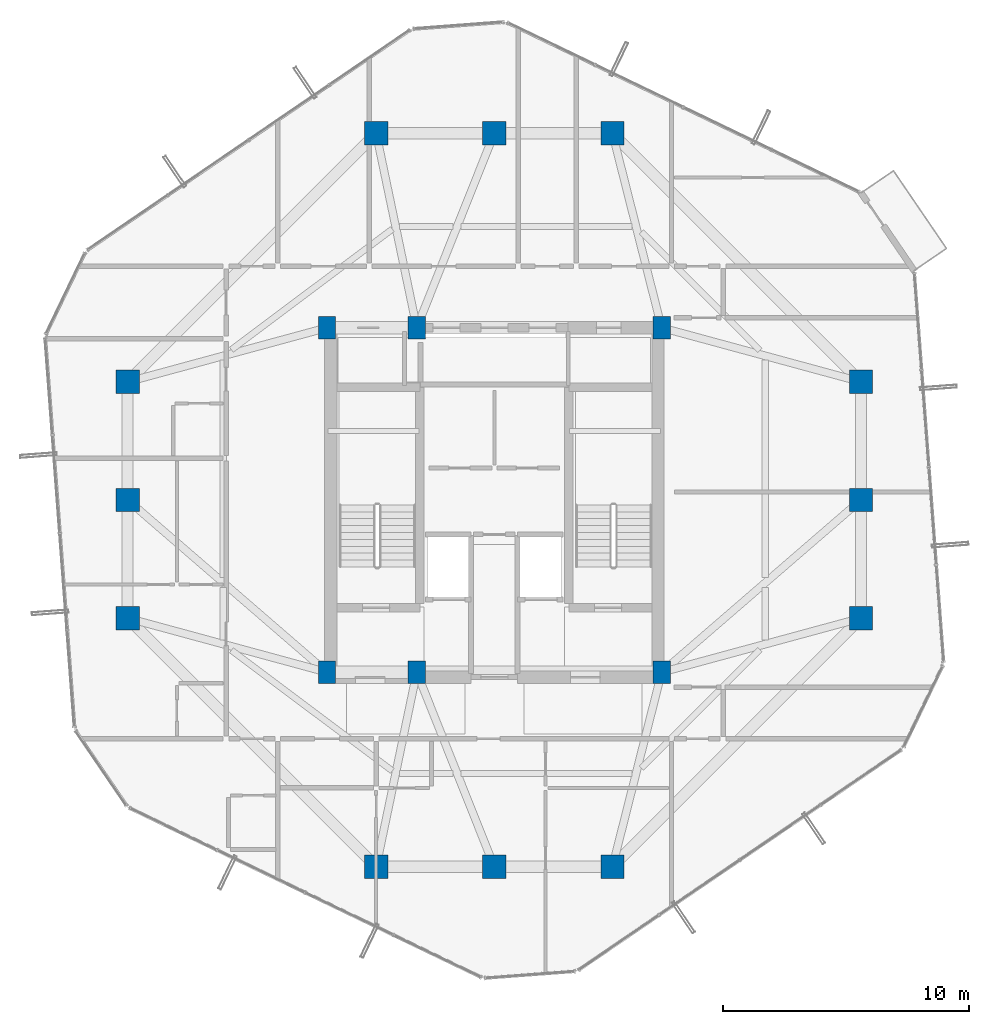
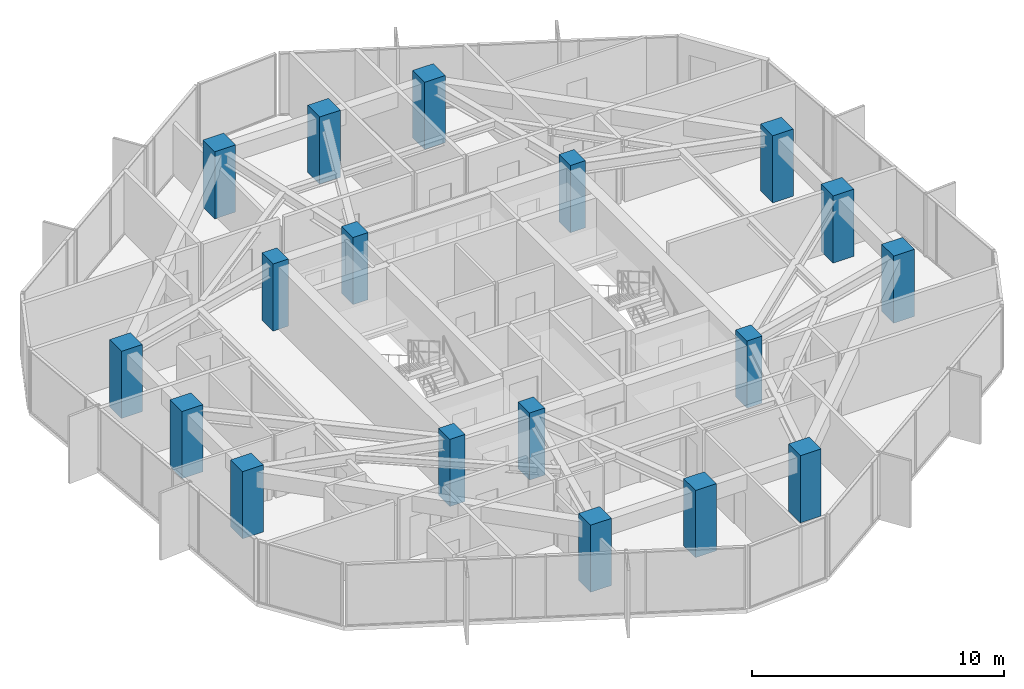
# One storey, part 1 of 34: 18 columns.
"""IFC4 building model written with IfcOpenShell, lengths in metres."""

from ifc_helpers import new_model, si_unit, direction, frame, origin, origin_2d, place, context, subcontext, project, spatial, rectangle, extrude, material, material_profile, profile_set, type_object, element, save


model = new_model("IFC4")

# Units and contexts
model_context = context("Model", 3, precision=1e-05, world=origin(), true_north=direction((0.0, 1.0)))
body_context = subcontext(model_context, "Body", "Model", "MODEL_VIEW")
ifc_project = project(units=[si_unit("LENGTHUNIT", "METRE"), si_unit("AREAUNIT", "SQUARE_METRE"), si_unit("VOLUMEUNIT", "CUBIC_METRE"), si_unit("PLANEANGLEUNIT", "RADIAN"), si_unit("MASSUNIT", "GRAM", prefix="KILO")], contexts=[model_context])

# Site, building, storey
site_placement = place(None, origin())
site = spatial("IfcSite", under=ifc_project, at=site_placement, CompositionType="ELEMENT")
building_placement = place(site_placement, origin())
building = spatial("IfcBuilding", under=site, at=building_placement, Name="Veraguas Prism Commons", CompositionType="ELEMENT")
storey_placement = place(building_placement, frame((0.0, 0.0, 191.85009765625)))
storey = spatial("IfcBuildingStorey", under=building, at=storey_placement, Name="L54", CompositionType="ELEMENT", Elevation=191.85009765625)

# Columns
ifc_material = material(Name="Concrete C50/60", Category="concrete")
ifc_material_profile_1 = material_profile(ifc_material, rectangle(XDim=0.949951171875, YDim=0.949951171875, at=origin_2d()), Name="RC950X950")
ifc_profile_set_1 = profile_set([ifc_material_profile_1], Name="Concrete C50/60")
column_type_1 = type_object("IfcColumnType", Name="Column Tube Z3 RC 950x950", PredefinedType="COLUMN", material=ifc_profile_set_1)
for number, where, z_axis, x_axis, name in (
    (1, (38.89990234375, 19.199951171875, 0.0), (0.0, 0.0, 1.0), (1.0, 0.0, 0.0), "Tower Perimeter Column L54-TB01"),
    (2, (38.89990234375, 24.0, 0.0), (0.0, 0.0, 1.0), (1.0, 0.0, 0.0), "Tower Perimeter Column L54-TB02"),
    (3, (38.89990234375, 28.800048828125, 0.0), (0.0, 0.0, 1.0), (1.0, 0.0, 0.0), "Tower Perimeter Column L54-TB03"),
    (4, (28.800048828125, 38.89990234375, 0.0), (0.0, 0.0, 1.0), (1.0, 0.0, 0.0), "Tower Perimeter Column L54-TB04"),
    (5, (24.0, 38.89990234375, 0.0), (0.0, 0.0, 1.0), (1.0, 0.0, 0.0), "Tower Perimeter Column L54-TB05"),
    (6, (19.199951171875, 38.89990234375, 0.0), (0.0, 0.0, 1.0), (1.0, 0.0, 0.0), "Tower Perimeter Column L54-TB06"),
    (7, (9.10009765625, 28.800048828125, 0.0), (0.0, 0.0, 1.0), (1.0, 0.0, 0.0), "Tower Perimeter Column L54-TB07"),
    (8, (9.10009765625, 24.0, 0.0), (0.0, 0.0, 1.0), (1.0, 0.0, 0.0), "Tower Perimeter Column L54-TB08"),
    (9, (9.10009765625, 19.199951171875, 0.0), (0.0, 0.0, 1.0), (1.0, 0.0, 0.0), "Tower Perimeter Column L54-TB09"),
    (10, (19.199951171875, 9.10009765625, 0.0), (0.0, 0.0, 1.0), (1.0, 0.0, 0.0), "Tower Perimeter Column L54-TB10"),
    (11, (24.0, 9.10009765625, 0.0), (0.0, 0.0, 1.0), (1.0, 0.0, 0.0), "Tower Perimeter Column L54-TB11"),
    (12, (28.800048828125, 9.10009765625, 0.0), (0.0, 0.0, 1.0), (1.0, 0.0, 0.0), "Tower Perimeter Column L54-TB12"),
):
    element("IfcColumn", number, at=place(storey_placement, frame(where, z_axis=z_axis, x_axis=x_axis)), inside=storey, type_object=column_type_1, Name=name, PredefinedType="COLUMN", context=body_context, shape_type="SweptSolid", body=[
        extrude(rectangle(XDim=0.949951171875, YDim=0.949951171875, at=origin_2d()), origin(), (0.0, 0.0, 1.0), 3.25),
    ])
ifc_material_profile_2 = material_profile(ifc_material, rectangle(XDim=0.699951171875, YDim=0.89990234375, at=origin_2d()), Name="RC700X900")
ifc_profile_set_2 = profile_set([ifc_material_profile_2], Name="Concrete C50/60")
column_type_2 = type_object("IfcColumnType", Name="Pilaster Core Upper RC 700x900", PredefinedType="PILASTER", material=ifc_profile_set_2)
for number, where, z_axis, x_axis, name in (
    (13, (17.199951171875, 17.0, 0.0), (0.0, 0.0, 1.0), (1.0, 0.0, 0.0), "Core Pilaster Column L54-CR1"),
    (14, (20.85009765625, 17.0, 0.0), (0.0, 0.0, 1.0), (1.0, 0.0, 0.0), "Core Pilaster Column L54-CR2"),
    (15, (30.800048828125, 17.0, 0.0), (0.0, 0.0, 1.0), (1.0, 0.0, 0.0), "Core Pilaster Column L54-CR3"),
    (16, (17.199951171875, 31.0, 0.0), (0.0, 0.0, 1.0), (1.0, 0.0, 0.0), "Core Pilaster Column L54-CR4"),
    (17, (20.85009765625, 31.0, 0.0), (0.0, 0.0, 1.0), (1.0, 0.0, 0.0), "Core Pilaster Column L54-CR5"),
    (18, (30.800048828125, 31.0, 0.0), (0.0, 0.0, 1.0), (1.0, 0.0, 0.0), "Core Pilaster Column L54-CR6"),
):
    element("IfcColumn", number, at=place(storey_placement, frame(where, z_axis=z_axis, x_axis=x_axis)), inside=storey, type_object=column_type_2, Name=name, PredefinedType="PILASTER", context=body_context, shape_type="SweptSolid", body=[
        extrude(rectangle(XDim=0.699951171875, YDim=0.89990234375, at=origin_2d()), origin(), (0.0, 0.0, 1.0), 3.25),
    ])

save(model, "model.ifc")
